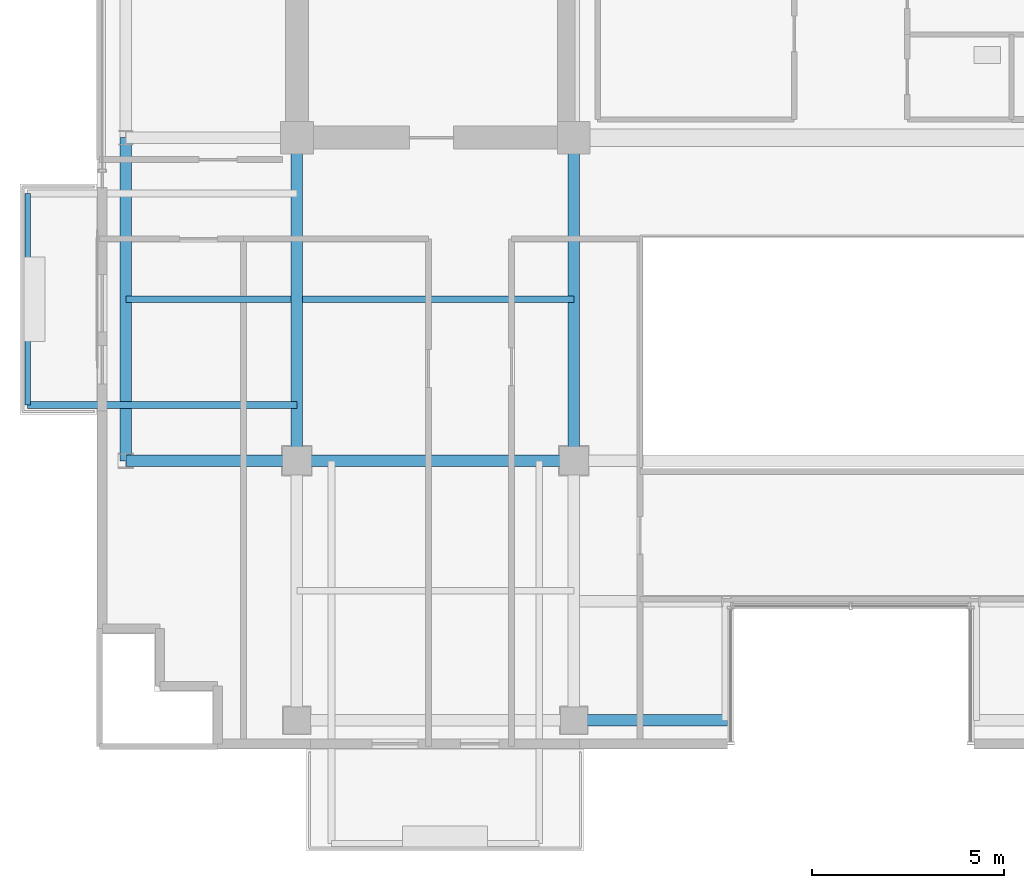
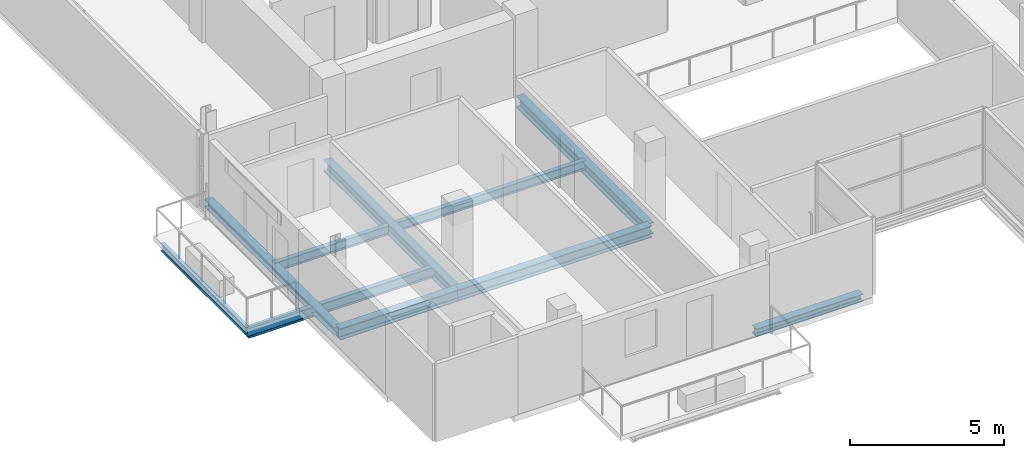
# One storey, part 2 of 24: 10 beams.
"""IFC4 building model written with IfcOpenShell, lengths in metres."""

from ifc_helpers import new_model, si_unit, direction, frame, origin, origin_2d, place, context, subcontext, project, spatial, i_section, extrude, material, material_profile, profile_set, type_object, element, save


model = new_model("IFC4")

# Units and contexts
model_context = context("Model", 3, precision=1e-05, world=origin(), true_north=direction((0.0, 1.0)))
body_context = subcontext(model_context, "Body", "Model", "MODEL_VIEW")
ifc_project = project(units=[si_unit("LENGTHUNIT", "METRE"), si_unit("AREAUNIT", "SQUARE_METRE"), si_unit("VOLUMEUNIT", "CUBIC_METRE"), si_unit("PLANEANGLEUNIT", "RADIAN"), si_unit("MASSUNIT", "GRAM", prefix="KILO")], contexts=[model_context])

# Site, building, storey
site_placement = place(None, origin())
site = spatial("IfcSite", under=ifc_project, at=site_placement, CompositionType="ELEMENT")
building_placement = place(site_placement, origin())
building = spatial("IfcBuilding", under=site, at=building_placement, Name="Zarnakvel Exchange Tower", CompositionType="ELEMENT")
storey_placement = place(building_placement, frame((0.0, 0.0, 235.300048828125)))
storey = spatial("IfcBuildingStorey", under=building, at=storey_placement, Name="L66", CompositionType="ELEMENT", Elevation=235.300048828125)

# Beams
ifc_material = material(Name="Steel S355", Category="steel")
ifc_material_profile_1 = material_profile(ifc_material, i_section(OverallWidth=0.179931640625, OverallDepth=0.39990234375, WebThickness=0.008544921875, FlangeThickness=0.013427734375, FilletRadius=0.02099609375, at=origin_2d()))
ifc_profile_set_1 = profile_set([ifc_material_profile_1], Name="Steel S355")
beam_type_1 = type_object("IfcBeamType", Name="B-06", PredefinedType="JOIST", material=ifc_profile_set_1)
beam_1_placement = place(storey_placement, frame((-14.39990234375, -8.14990234375, -0.425048828125), z_axis=(-1.0, 0.0, 0.0), x_axis=(0.0, -1.0, 0.0)))
element("IfcBeam", 1, at=beam_1_placement, inside=storey, type_object=beam_type_1, Name="L66 Continuous West Loggia Beam S", PredefinedType="JOIST", context=body_context, shape_type="SweptSolid", body=[
    extrude(i_section(OverallWidth=0.179931640625, OverallDepth=0.39990234375, WebThickness=0.008544921875, FlangeThickness=0.013427734375, FilletRadius=0.02099609375, at=origin_2d()), origin(), (0.0, 0.0, 1.0), 7.0),
])
ifc_material_profile_2 = material_profile(ifc_material, i_section(OverallWidth=0.169921875, OverallDepth=0.360107421875, WebThickness=0.008056640625, FlangeThickness=0.0126953125, FilletRadius=0.01806640625, at=origin_2d()))
ifc_profile_set_2 = profile_set([ifc_material_profile_2], Name="Steel S355")
beam_type_2 = type_object("IfcBeamType", Name="B-07", PredefinedType="JOIST", material=ifc_profile_set_2)
beam_2_placement = place(storey_placement, frame((-18.85009765625, -5.39990234375, -0.405029296875), z_axis=(1.0, 0.0, 0.0), x_axis=(0.0, 1.0, 0.0)))
element("IfcBeam", 2, at=beam_2_placement, inside=storey, type_object=beam_type_2, Name="L66 Composite Floor Secondary Joist", PredefinedType="JOIST", context=body_context, shape_type="SweptSolid", body=[
    extrude(i_section(OverallWidth=0.169921875, OverallDepth=0.360107421875, WebThickness=0.008056640625, FlangeThickness=0.0126953125, FilletRadius=0.01806640625, at=origin_2d()), origin(), (0.0, 0.0, 1.0), 4.300048828125),
])
beam_3_placement = place(storey_placement, frame((-14.25, -5.39990234375, -0.405029296875), z_axis=(1.0, 0.0, 0.0), x_axis=(0.0, 1.0, 0.0)))
element("IfcBeam", 3, at=beam_3_placement, inside=storey, type_object=beam_type_2, Name="L66 Composite Floor Secondary Joist", PredefinedType="JOIST", context=body_context, shape_type="SweptSolid", body=[
    extrude(i_section(OverallWidth=0.169921875, OverallDepth=0.360107421875, WebThickness=0.008056640625, FlangeThickness=0.0126953125, FilletRadius=0.01806640625, at=origin_2d()), origin(), (0.0, 0.0, 1.0), 7.050048828125),
])
ifc_material_profile_3 = material_profile(ifc_material, i_section(OverallWidth=0.14990234375, OverallDepth=0.300048828125, WebThickness=0.007080078125, FlangeThickness=0.0107421875, FilletRadius=0.014892578125, at=origin_2d()))
ifc_profile_set_3 = profile_set([ifc_material_profile_3], Name="Steel S355")
beam_type_3 = type_object("IfcBeamType", Name="B-08", PredefinedType="JOIST", material=ifc_profile_set_3)
beam_4_placement = place(storey_placement, frame((-21.39990234375, -8.14990234375, -0.375), z_axis=(0.0, 1.0, 0.0), x_axis=(-1.0, 0.0, 0.0)))
element("IfcBeam", 4, at=beam_4_placement, inside=storey, type_object=beam_type_3, Name="L66 West Loggia Edge Beam", PredefinedType="JOIST", context=body_context, shape_type="SweptSolid", body=[
    extrude(i_section(OverallWidth=0.14990234375, OverallDepth=0.300048828125, WebThickness=0.007080078125, FlangeThickness=0.0107421875, FilletRadius=0.014892578125, at=origin_2d()), origin(), (0.0, 0.0, 1.0), 5.5),
])
ifc_material_profile_4 = material_profile(ifc_material, i_section(OverallWidth=0.300048828125, OverallDepth=0.449951171875, WebThickness=0.013916015625, FlangeThickness=0.02587890625, FilletRadius=0.027099609375, at=origin_2d()))
ifc_profile_set_4 = profile_set([ifc_material_profile_4], Name="Steel S355")
beam_type_4 = type_object("IfcBeamType", Name="G-07", PredefinedType="BEAM", material=ifc_profile_set_4)
beam_5_placement = place(storey_placement, frame((-18.85009765625, -9.60009765625, -0.449951171875), z_axis=(1.0, 0.0, 0.0), x_axis=(0.0, 1.0, 0.0)))
element("IfcBeam", 5, at=beam_5_placement, inside=storey, type_object=beam_type_4, Name="L66 Tower E-W Frame Beam", PredefinedType="BEAM", context=body_context, shape_type="SweptSolid", body=[
    extrude(i_section(OverallWidth=0.300048828125, OverallDepth=0.449951171875, WebThickness=0.013916015625, FlangeThickness=0.02587890625, FilletRadius=0.027099609375, at=origin_2d()), origin(), (0.0, 0.0, 1.0), 4.4501953125),
])
beam_6_placement = place(storey_placement, frame((-14.39990234375, -9.60009765625, -0.449951171875), z_axis=(1.0, 0.0, 0.0), x_axis=(0.0, 1.0, 0.0)))
element("IfcBeam", 6, at=beam_6_placement, inside=storey, type_object=beam_type_4, Name="L66 Tower E-W Frame Beam", PredefinedType="BEAM", context=body_context, shape_type="SweptSolid", body=[
    extrude(i_section(OverallWidth=0.300048828125, OverallDepth=0.449951171875, WebThickness=0.013916015625, FlangeThickness=0.02587890625, FilletRadius=0.027099609375, at=origin_2d()), origin(), (0.0, 0.0, 1.0), 7.199951171875),
])
for number, where, z_axis, x_axis, name in (
    (7, (-14.39990234375, -9.60009765625, -0.449951171875), (0.0, 1.0, 0.0), (-1.0, 0.0, 0.0), "L66 Tower N-S Frame Beam"),
    (8, (-7.199951171875, -9.60009765625, -0.449951171875), (0.0, 1.0, 0.0), (-1.0, 0.0, 0.0), "L66 Tower N-S Frame Beam"),
):
    element("IfcBeam", number, at=place(storey_placement, frame(where, z_axis=z_axis, x_axis=x_axis)), inside=storey, type_object=beam_type_4, Name=name, PredefinedType="BEAM", context=body_context, shape_type="SweptSolid", body=[
        extrude(i_section(OverallWidth=0.300048828125, OverallDepth=0.449951171875, WebThickness=0.013916015625, FlangeThickness=0.02587890625, FilletRadius=0.027099609375, at=origin_2d()), origin(), (0.0, 0.0, 1.0), 8.400146484375),
    ])
ifc_material_profile_5 = material_profile(ifc_material, i_section(OverallWidth=0.300048828125, OverallDepth=0.300048828125, WebThickness=0.010986328125, FlangeThickness=0.01904296875, FilletRadius=0.027099609375, at=origin_2d()))
ifc_profile_set_5 = profile_set([ifc_material_profile_5], Name="Steel S355")
beam_type_5 = type_object("IfcBeamType", Name="SP-03", PredefinedType="SPANDREL", material=ifc_profile_set_5)
beam_7_placement = place(storey_placement, frame((-7.199951171875, -16.35009765625, -0.375), z_axis=(1.0, 0.0, 0.0), x_axis=(0.0, 1.0, 0.0)))
element("IfcBeam", 9, at=beam_7_placement, inside=storey, type_object=beam_type_5, Name="L66 South Slot West Jamb Spandrel", PredefinedType="SPANDREL", context=body_context, shape_type="SweptSolid", body=[
    extrude(i_section(OverallWidth=0.300048828125, OverallDepth=0.300048828125, WebThickness=0.010986328125, FlangeThickness=0.01904296875, FilletRadius=0.027099609375, at=origin_2d()), origin(), (0.0, 0.0, 1.0), 4.0),
])
beam_8_placement = place(storey_placement, frame((-18.85009765625, -9.60009765625, -0.375), z_axis=(0.0, 1.0, 0.0), x_axis=(-1.0, 0.0, 0.0)))
element("IfcBeam", 10, at=beam_8_placement, inside=storey, type_object=beam_type_5, Name="L66 Tower N-S Frame Beam", PredefinedType="SPANDREL", context=body_context, shape_type="SweptSolid", body=[
    extrude(i_section(OverallWidth=0.300048828125, OverallDepth=0.300048828125, WebThickness=0.010986328125, FlangeThickness=0.01904296875, FilletRadius=0.027099609375, at=origin_2d()), origin(), (0.0, 0.0, 1.0), 8.400146484375),
])

save(model, "model.ifc")
